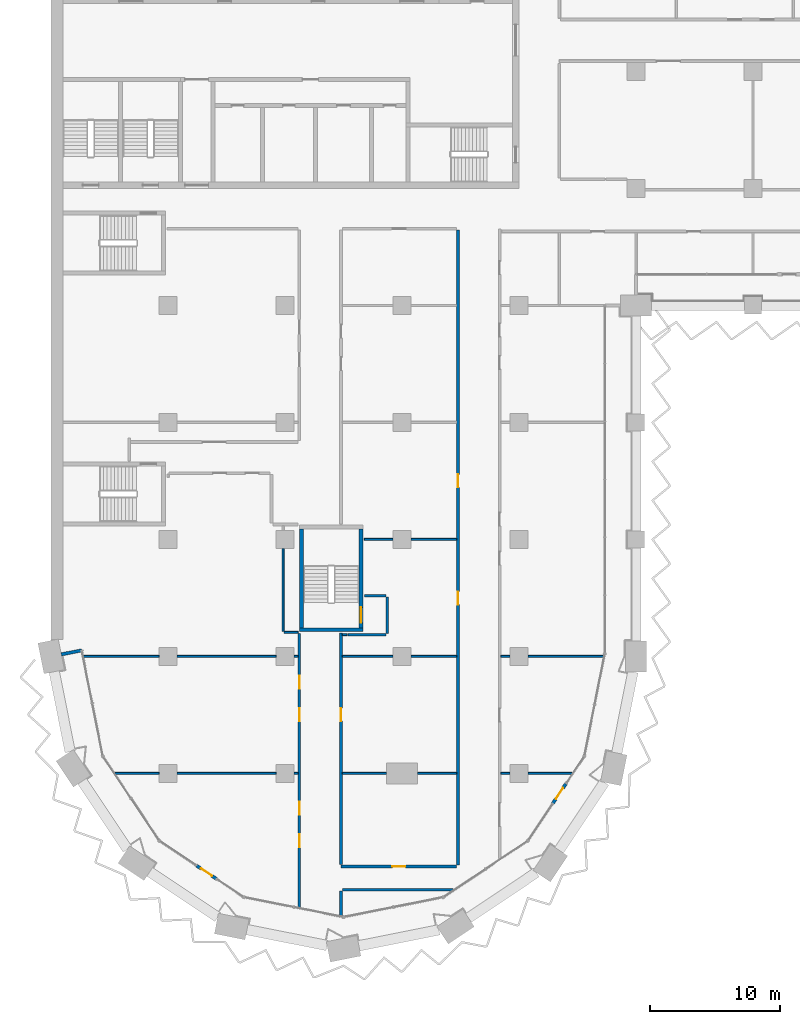
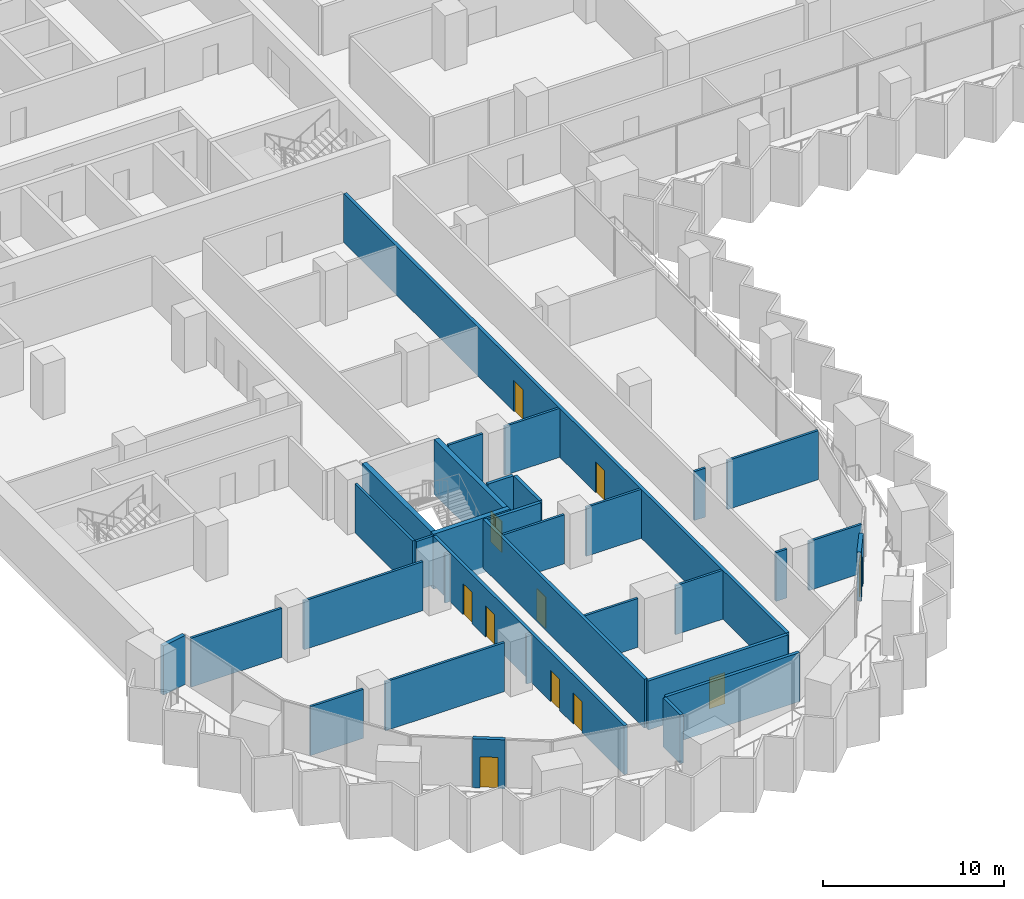
# One storey, part 10 of 29: 34 walls, 11 doors, 11 openings.
"""IFC4 building model written with IfcOpenShell, lengths in metres."""

from ifc_helpers import new_model, si_unit, direction, frame, frame_2d, origin, place, context, subcontext, project, spatial, rectangle, extrude, material, layer, layer_set, type_object, element, fill, save


model = new_model("IFC4")

# Units and contexts
model_context = context("Model", 3, precision=1e-05, world=origin(), true_north=direction((0.0, 1.0)))
body_context = subcontext(model_context, "Body", "Model", "MODEL_VIEW")
ifc_project = project(units=[si_unit("LENGTHUNIT", "METRE"), si_unit("AREAUNIT", "SQUARE_METRE"), si_unit("VOLUMEUNIT", "CUBIC_METRE"), si_unit("PLANEANGLEUNIT", "RADIAN"), si_unit("MASSUNIT", "GRAM", prefix="KILO")], contexts=[model_context])

# Site, building, storey
site_placement = place(None, origin())
site = spatial("IfcSite", under=ifc_project, at=site_placement, CompositionType="ELEMENT")
building_placement = place(site_placement, origin())
building = spatial("IfcBuilding", under=site, at=building_placement, Name="Hunhe Ridgeline Campus", CompositionType="ELEMENT")
storey_placement = place(building_placement, frame((0.0, 0.0, 54.300048828125)))
storey = spatial("IfcBuildingStorey", under=building, at=storey_placement, Name="L12", CompositionType="ELEMENT", Elevation=54.300048828125)

# Walls
ifc_material_1 = material(Name="Concrete C30", Category="concrete")
ifc_layer_1 = layer(ifc_material_1, 0.25)
ifc_layer_set_1 = layer_set([ifc_layer_1], Name="Corner return wall 250 Concrete C30")
wall_type_1 = type_object("IfcWallType", Name="Corner return wall 250 Concrete C30", PredefinedType="SOLIDWALL", material=ifc_layer_set_1)
wall_1_placement = place(storey_placement, frame((0.784423828125, 27.15673828125, 0.0), z_axis=(0.0, 0.0, 1.0), x_axis=(0.980826234823, 0.19488431718, 0.0)))
element("IfcWall", 1, at=wall_1_placement, inside=storey, type_object=wall_type_1, Name="Corner return wall 1", PredefinedType="SOLIDWALL", context=body_context, shape_type="SweptSolid", body=[
    extrude(rectangle(XDim=1.60107421875, YDim=0.25, at=frame_2d((0.800537109375, 0.0))), origin(), (0.0, 0.0, 1.0), 3.300048828125),
])
ifc_material_2 = material(Name="Gypsum board partition")
ifc_layer_2 = layer(ifc_material_2, 0.199951171875)
ifc_layer_set_2 = layer_set([ifc_layer_2], Name="Corridor partition 200 gypsum board on steel studs")
wall_type_2 = type_object("IfcWallType", Name="Corridor partition 200 gypsum board on steel studs", PredefinedType="PARTITIONING", material=ifc_layer_set_2)
wall_2_placement = place(storey_placement, frame((30.921142578125, 9.0390625, 0.0), z_axis=(0.0, 0.0, 1.0), x_axis=(-1.0, 0.0, 0.0)))
element("IfcWall", 2, at=wall_2_placement, inside=storey, type_object=wall_type_2, Name="F-L12-wall-001", PredefinedType="PARTITIONING", context=body_context, shape_type="SweptSolid", body=[
    extrude(rectangle(XDim=8.521240234375, YDim=0.199951171875, at=frame_2d((4.2607421875, 0.0))), origin(), (0.0, 0.0, 1.0), 3.300048828125),
])

# Wall, opening, door
wall_3_placement = place(storey_placement, frame((22.300048828125, 10.839111328125, 0.0), z_axis=(0.0, 0.0, 1.0), x_axis=(1.0, 0.0, 0.0)))
wall_3 = element("IfcWall", 3, at=wall_3_placement, inside=storey, type_object=wall_type_2, Name="F-L12-wall-002", PredefinedType="PARTITIONING", context=body_context, shape_type="SweptSolid", body=[
    extrude(rectangle(XDim=8.89990234375, YDim=0.199951171875, at=frame_2d((4.449951171875, 0.0))), origin(), (0.0, 0.0, 1.0), 3.300048828125),
])
opening_1_placement = place(wall_3_placement, frame((3.949951171875, 0.0, 0.0)))
opening_1 = element("IfcOpeningElement", 4, at=opening_1_placement, cuts=wall_3, Name="Opening RD1-001", PredefinedType="OPENING", context=body_context, shape_type="SweptSolid", body=[
    extrude(rectangle(XDim=1.0, YDim=2.10009765625, at=frame_2d((0.5, 1.050048828125))), frame((0.0, 0.10009765625, 0.0), z_axis=(0.0, -1.0, 0.0), x_axis=(1.0, 0.0, 0.0)), (0.0, 0.0, 1.0), 0.199951171875),
])
ifc_material_3 = material(Name="Timber door leaf", Category="wood")
door_type_1 = type_object("IfcDoorType", Name="Single fire door 1000x2100 timber FD60", OperationType="NOTDEFINED", PredefinedType="DOOR", material=ifc_material_3)
door_1_placement = place(opening_1_placement, origin())
door_1 = element("IfcDoor", 5, at=door_1_placement, inside=storey, type_object=door_type_1, Name="F-L12-door-001", OperationType="SINGLE_SWING_RIGHT", OverallHeight=2.10009765625, OverallWidth=1.0, PredefinedType="DOOR", context=body_context, shape_type="SweptSolid", body=[
    extrude(rectangle(XDim=1.0, YDim=2.10009765625, at=frame_2d((0.5, 1.050048828125))), frame((0.0, 0.02490234375, 0.0), z_axis=(0.0, -1.0, 0.0), x_axis=(1.0, 0.0, 0.0)), (0.0, 0.0, 1.0), 0.050048828125),
])
fill(opening_1, door_1)

# Walls
wall_4_placement = place(storey_placement, frame((25.75, 28.675048828125, 0.0), z_axis=(0.0, 0.0, 1.0), x_axis=(-1.0, 0.0, 0.0)))
element("IfcWall", 6, at=wall_4_placement, inside=storey, type_object=wall_type_2, Name="F-L12-wall-017", PredefinedType="PARTITIONING", context=body_context, shape_type="SweptSolid", body=[
    extrude(rectangle(XDim=2.89990234375, YDim=0.199951171875, at=frame_2d((1.449951171875, 0.0))), origin(), (0.0, 0.0, 1.0), 3.300048828125),
])
wall_5_placement = place(storey_placement, frame((24.10400390625, 31.675048828125, 0.0), z_axis=(0.0, 0.0, 1.0), x_axis=(1.0, 0.0, 0.0)))
element("IfcWall", 7, at=wall_5_placement, inside=storey, type_object=wall_type_2, Name="F-L12-wall-020", PredefinedType="PARTITIONING", context=body_context, shape_type="SweptSolid", body=[
    extrude(rectangle(XDim=1.64599609375, YDim=0.199951171875, at=frame_2d((0.822998046875, 0.0))), origin(), (0.0, 0.0, 1.0), 3.300048828125),
])

# Wall, openings, doors
wall_6_placement = place(storey_placement, frame((19.10009765625, 7.679443359375, 0.0), z_axis=(0.0, 0.0, 1.0), x_axis=(0.0, 1.0, 0.0)))
wall_6 = element("IfcWall", 8, at=wall_6_placement, inside=storey, type_object=wall_type_2, Name="F-L12-wall-060", PredefinedType="PARTITIONING", context=body_context, shape_type="SweptSolid", body=[
    extrude(rectangle(XDim=21.095458984375, YDim=0.199951171875, at=frame_2d((10.5478515625, 0.0))), origin(), (0.0, 0.0, 1.0), 3.300048828125),
])
opening_2_placement = place(wall_6_placement, frame((4.648193359375, 0.0, 0.0)))
opening_2 = element("IfcOpeningElement", 9, at=opening_2_placement, cuts=wall_6, Name="Opening RD1-002", PredefinedType="OPENING", context=body_context, shape_type="SweptSolid", body=[
    extrude(rectangle(XDim=1.0, YDim=2.10009765625, at=frame_2d((0.5, 1.050048828125))), frame((0.0, 0.10009765625, 0.0), z_axis=(0.0, -1.0, 0.0), x_axis=(1.0, 0.0, 0.0)), (0.0, 0.0, 1.0), 0.199951171875),
])
opening_3_placement = place(wall_6_placement, frame((7.148193359375, 0.0, 0.0)))
opening_3 = element("IfcOpeningElement", 10, at=opening_3_placement, cuts=wall_6, Name="Opening RD1-004", PredefinedType="OPENING", context=body_context, shape_type="SweptSolid", body=[
    extrude(rectangle(XDim=1.0, YDim=2.10009765625, at=frame_2d((0.5, 1.050048828125))), frame((0.0, 0.10009765625, 0.0), z_axis=(0.0, -1.0, 0.0), x_axis=(1.0, 0.0, 0.0)), (0.0, 0.0, 1.0), 0.199951171875),
])
opening_4_placement = place(wall_6_placement, frame((14.317138671875, 0.0, 0.0)))
opening_4 = element("IfcOpeningElement", 11, at=opening_4_placement, cuts=wall_6, Name="Opening RD1-005", PredefinedType="OPENING", context=body_context, shape_type="SweptSolid", body=[
    extrude(rectangle(XDim=1.0, YDim=2.10009765625, at=frame_2d((0.5, 1.050048828125))), frame((0.0, 0.10009765625, 0.0), z_axis=(0.0, -1.0, 0.0), x_axis=(1.0, 0.0, 0.0)), (0.0, 0.0, 1.0), 0.199951171875),
])
opening_5_placement = place(wall_6_placement, frame((16.817138671875, 0.0, 0.0)))
opening_5 = element("IfcOpeningElement", 12, at=opening_5_placement, cuts=wall_6, Name="Opening RD1-008", PredefinedType="OPENING", context=body_context, shape_type="SweptSolid", body=[
    extrude(rectangle(XDim=1.0, YDim=2.10009765625, at=frame_2d((0.5, 1.050048828125))), frame((0.0, 0.10009765625, 0.0), z_axis=(0.0, -1.0, 0.0), x_axis=(1.0, 0.0, 0.0)), (0.0, 0.0, 1.0), 0.199951171875),
])
door_2_placement = place(opening_2_placement, frame((1.0, 0.0, 0.0), z_axis=(0.0, 0.0, 1.0), x_axis=(-1.0, 0.0, 0.0)))
door_2 = element("IfcDoor", 13, at=door_2_placement, inside=storey, type_object=door_type_1, Name="F-L12-door-002", OperationType="SINGLE_SWING_LEFT", OverallHeight=2.10009765625, OverallWidth=1.0, PredefinedType="DOOR", context=body_context, shape_type="SweptSolid", body=[
    extrude(rectangle(XDim=1.0, YDim=2.10009765625, at=frame_2d((0.5, 1.050048828125))), frame((0.0, 0.02490234375, 0.0), z_axis=(0.0, -1.0, 0.0), x_axis=(1.0, 0.0, 0.0)), (0.0, 0.0, 1.0), 0.050048828125),
])
fill(opening_2, door_2)
door_3_placement = place(opening_3_placement, frame((1.0, 0.0, 0.0), z_axis=(0.0, 0.0, 1.0), x_axis=(-1.0, 0.0, 0.0)))
door_3 = element("IfcDoor", 14, at=door_3_placement, inside=storey, type_object=door_type_1, Name="F-L12-door-004", OperationType="SINGLE_SWING_LEFT", OverallHeight=2.10009765625, OverallWidth=1.0, PredefinedType="DOOR", context=body_context, shape_type="SweptSolid", body=[
    extrude(rectangle(XDim=1.0, YDim=2.10009765625, at=frame_2d((0.5, 1.050048828125))), frame((0.0, 0.02490234375, 0.0), z_axis=(0.0, -1.0, 0.0), x_axis=(1.0, 0.0, 0.0)), (0.0, 0.0, 1.0), 0.050048828125),
])
fill(opening_3, door_3)
door_4_placement = place(opening_4_placement, frame((1.0, 0.0, 0.0), z_axis=(0.0, 0.0, 1.0), x_axis=(-1.0, 0.0, 0.0)))
door_4 = element("IfcDoor", 15, at=door_4_placement, inside=storey, type_object=door_type_1, Name="F-L12-door-005", OperationType="SINGLE_SWING_LEFT", OverallHeight=2.10009765625, OverallWidth=1.0, PredefinedType="DOOR", context=body_context, shape_type="SweptSolid", body=[
    extrude(rectangle(XDim=1.0, YDim=2.10009765625, at=frame_2d((0.5, 1.050048828125))), frame((0.0, 0.02490234375, 0.0), z_axis=(0.0, -1.0, 0.0), x_axis=(1.0, 0.0, 0.0)), (0.0, 0.0, 1.0), 0.050048828125),
])
fill(opening_4, door_4)
door_5_placement = place(opening_5_placement, frame((1.0, 0.0, 0.0), z_axis=(0.0, 0.0, 1.0), x_axis=(-1.0, 0.0, 0.0)))
door_5 = element("IfcDoor", 16, at=door_5_placement, inside=storey, type_object=door_type_1, Name="F-L12-door-008", OperationType="SINGLE_SWING_LEFT", OverallHeight=2.10009765625, OverallWidth=1.0, PredefinedType="DOOR", context=body_context, shape_type="SweptSolid", body=[
    extrude(rectangle(XDim=1.0, YDim=2.10009765625, at=frame_2d((0.5, 1.050048828125))), frame((0.0, 0.02490234375, 0.0), z_axis=(0.0, -1.0, 0.0), x_axis=(1.0, 0.0, 0.0)), (0.0, 0.0, 1.0), 0.050048828125),
])
fill(opening_5, door_5)

# Wall
wall_7_placement = place(storey_placement, frame((22.300048828125, 8.93896484375, 0.0), z_axis=(0.0, 0.0, 1.0), x_axis=(0.0, -1.0, 0.0)))
element("IfcWall", 17, at=wall_7_placement, inside=storey, type_object=wall_type_2, Name="F-L12-wall-062", PredefinedType="PARTITIONING", context=body_context, shape_type="SweptSolid", body=[
    extrude(rectangle(XDim=1.89599609375, YDim=0.199951171875, at=frame_2d((0.947998046875, 0.0))), origin(), (0.0, 0.0, 1.0), 3.300048828125),
])

# Wall, opening, door
wall_8_placement = place(storey_placement, frame((22.300048828125, 28.7958984375, 0.0), z_axis=(0.0, 0.0, 1.0), x_axis=(0.0, -1.0, 0.0)))
wall_8 = element("IfcWall", 18, at=wall_8_placement, inside=storey, type_object=wall_type_2, Name="F-L12-wall-063", PredefinedType="PARTITIONING", context=body_context, shape_type="SweptSolid", body=[
    extrude(rectangle(XDim=17.7978515625, YDim=0.199951171875, at=frame_2d((8.89892578125, 0.0))), origin(), (0.0, 0.0, 1.0), 3.300048828125),
])
opening_6_placement = place(wall_8_placement, frame((5.766845703125, 0.0, 0.0)))
opening_6 = element("IfcOpeningElement", 19, at=opening_6_placement, cuts=wall_8, Name="Opening RD1-006", PredefinedType="OPENING", context=body_context, shape_type="SweptSolid", body=[
    extrude(rectangle(XDim=1.0, YDim=2.10009765625, at=frame_2d((0.5, 1.050048828125))), frame((0.0, 0.10009765625, 0.0), z_axis=(0.0, -1.0, 0.0), x_axis=(1.0, 0.0, 0.0)), (0.0, 0.0, 1.0), 0.199951171875),
])
door_6_placement = place(opening_6_placement, origin())
door_6 = element("IfcDoor", 20, at=door_6_placement, inside=storey, type_object=door_type_1, Name="F-L12-door-006", OperationType="SINGLE_SWING_LEFT", OverallHeight=2.10009765625, OverallWidth=1.0, PredefinedType="DOOR", context=body_context, shape_type="SweptSolid", body=[
    extrude(rectangle(XDim=1.0, YDim=2.10009765625, at=frame_2d((0.5, 1.050048828125))), frame((0.0, 0.02490234375, 0.0), z_axis=(0.0, -1.0, 0.0), x_axis=(1.0, 0.0, 0.0)), (0.0, 0.0, 1.0), 0.050048828125),
])
fill(opening_6, door_6)

# Wall
wall_9_placement = place(storey_placement, frame((25.85009765625, 31.574951171875, 0.0), z_axis=(0.0, 0.0, 1.0), x_axis=(0.0, -1.0, 0.0)))
element("IfcWall", 21, at=wall_9_placement, inside=storey, type_object=wall_type_2, Name="F-L12-wall-065", PredefinedType="PARTITIONING", context=body_context, shape_type="SweptSolid", body=[
    extrude(rectangle(XDim=2.800048828125, YDim=0.199951171875, at=frame_2d((1.39990234375, 0.0))), origin(), (0.0, 0.0, 1.0), 3.300048828125),
])

# Wall, openings, doors
wall_10_placement = place(storey_placement, frame((31.300048828125, 10.93896484375, 0.0), z_axis=(0.0, 0.0, 1.0), x_axis=(0.0, 1.0, 0.0)))
wall_10 = element("IfcWall", 22, at=wall_10_placement, inside=storey, type_object=wall_type_2, Name="F-L12-wall-066", PredefinedType="PARTITIONING", context=body_context, shape_type="SweptSolid", body=[
    extrude(rectangle(XDim=48.861083984375, YDim=0.199951171875, at=frame_2d((24.4306640625, 0.0))), origin(), (0.0, 0.0, 1.0), 3.300048828125),
])
opening_7_placement = place(wall_10_placement, frame((20.046630859375, 0.0, 0.0)))
opening_7 = element("IfcOpeningElement", 23, at=opening_7_placement, cuts=wall_10, Name="Opening RD1-009", PredefinedType="OPENING", context=body_context, shape_type="SweptSolid", body=[
    extrude(rectangle(XDim=1.0, YDim=2.10009765625, at=frame_2d((0.5, 1.050048828125))), frame((0.0, 0.10009765625, 0.0), z_axis=(0.0, -1.0, 0.0), x_axis=(1.0, 0.0, 0.0)), (0.0, 0.0, 1.0), 0.199951171875),
])
opening_8_placement = place(wall_10_placement, frame((29.067138671875, 0.0, 0.0)))
opening_8 = element("IfcOpeningElement", 24, at=opening_8_placement, cuts=wall_10, Name="Opening RD1-012", PredefinedType="OPENING", context=body_context, shape_type="SweptSolid", body=[
    extrude(rectangle(XDim=1.0, YDim=2.10009765625, at=frame_2d((0.5, 1.050048828125))), frame((0.0, 0.10009765625, 0.0), z_axis=(0.0, -1.0, 0.0), x_axis=(1.0, 0.0, 0.0)), (0.0, 0.0, 1.0), 0.199951171875),
])
door_7_placement = place(opening_7_placement, origin())
door_7 = element("IfcDoor", 25, at=door_7_placement, inside=storey, type_object=door_type_1, Name="F-L12-door-009", OperationType="SINGLE_SWING_RIGHT", OverallHeight=2.10009765625, OverallWidth=1.0, PredefinedType="DOOR", context=body_context, shape_type="SweptSolid", body=[
    extrude(rectangle(XDim=1.0, YDim=2.10009765625, at=frame_2d((0.5, 1.050048828125))), frame((0.0, 0.02490234375, 0.0), z_axis=(0.0, -1.0, 0.0), x_axis=(1.0, 0.0, 0.0)), (0.0, 0.0, 1.0), 0.050048828125),
])
fill(opening_7, door_7)
door_8_placement = place(opening_8_placement, origin())
door_8 = element("IfcDoor", 26, at=door_8_placement, inside=storey, type_object=door_type_1, Name="F-L12-door-012", OperationType="SINGLE_SWING_RIGHT", OverallHeight=2.10009765625, OverallWidth=1.0, PredefinedType="DOOR", context=body_context, shape_type="SweptSolid", body=[
    extrude(rectangle(XDim=1.0, YDim=2.10009765625, at=frame_2d((0.5, 1.050048828125))), frame((0.0, 0.02490234375, 0.0), z_axis=(0.0, -1.0, 0.0), x_axis=(1.0, 0.0, 0.0)), (0.0, 0.0, 1.0), 0.050048828125),
])
fill(opening_8, door_8)

# Wall, opening, door
ifc_layer_3 = layer(ifc_material_1, 0.25)
ifc_layer_set_3 = layer_set([ifc_layer_3], Name="Loggia door pier wall 250 Concrete C30")
wall_type_3 = type_object("IfcWallType", Name="Loggia door pier wall 250 Concrete C30", PredefinedType="SOLIDWALL", material=ifc_layer_set_3)
wall_11_placement = place(storey_placement, frame((11.19970703125, 10.897705078125, 0.0), z_axis=(0.0, 0.0, 1.0), x_axis=(0.83146554274, -0.555576323502, 0.0)))
wall_11 = element("IfcWall", 27, at=wall_11_placement, inside=storey, type_object=wall_type_3, Name="Loggia door pier 1", PredefinedType="SOLIDWALL", context=body_context, shape_type="SweptSolid", body=[
    extrude(rectangle(XDim=1.800048828125, YDim=0.25, at=frame_2d((0.89990234375, 0.0))), origin(), (0.0, 0.0, 1.0), 3.300048828125),
])
opening_9_placement = place(wall_11_placement, frame((0.39990234375, 0.0, 0.0)))
opening_9 = element("IfcOpeningElement", 28, at=opening_9_placement, cuts=wall_11, Name="Opening BD102", PredefinedType="OPENING", context=body_context, shape_type="SweptSolid", body=[
    extrude(rectangle(XDim=1.0, YDim=2.10009765625, at=frame_2d((0.5, 1.050048828125))), frame((0.0, 0.125, 0.0), z_axis=(0.0, -1.0, 0.0), x_axis=(1.0, 0.0, 0.0)), (0.0, 0.0, 1.0), 0.25),
])
ifc_material_4 = material(Name="Aluminium 6063", Category="aluminium")
door_type_2 = type_object("IfcDoorType", Name="Loggia glazed door 1000x2100", OperationType="NOTDEFINED", PredefinedType="DOOR", material=ifc_material_4)
door_9_placement = place(opening_9_placement, frame((1.0, 0.0, 0.0), z_axis=(0.0, 0.0, 1.0), x_axis=(-1.0, 0.0, 0.0)))
door_9 = element("IfcDoor", 29, at=door_9_placement, inside=storey, type_object=door_type_2, Name="Loggia door BD102", OperationType="SINGLE_SWING_LEFT", OverallHeight=2.10009765625, OverallWidth=1.0, PredefinedType="DOOR", context=body_context, shape_type="SweptSolid", body=[
    extrude(rectangle(XDim=1.0, YDim=2.10009765625, at=frame_2d((0.5, 1.050048828125))), frame((0.0, 0.02490234375, 0.0), z_axis=(0.0, -1.0, 0.0), x_axis=(1.0, 0.0, 0.0)), (0.0, 0.0, 1.0), 0.050048828125),
])
fill(opening_9, door_9)

wall_12_placement = place(storey_placement, frame((38.602294921875, 15.69970703125, 0.0), z_axis=(0.0, 0.0, 1.0), x_axis=(0.555576323502, 0.83146554274, 0.0)))
wall_12 = element("IfcWall", 30, at=wall_12_placement, inside=storey, type_object=wall_type_3, Name="Loggia door pier 2", PredefinedType="SOLIDWALL", context=body_context, shape_type="SweptSolid", body=[
    extrude(rectangle(XDim=1.800048828125, YDim=0.25, at=frame_2d((0.89990234375, 0.0))), origin(), (0.0, 0.0, 1.0), 3.300048828125),
])
opening_10_placement = place(wall_12_placement, frame((0.39990234375, 0.0, 0.0)))
opening_10 = element("IfcOpeningElement", 31, at=opening_10_placement, cuts=wall_12, Name="Opening BD104", PredefinedType="OPENING", context=body_context, shape_type="SweptSolid", body=[
    extrude(rectangle(XDim=1.0, YDim=2.10009765625, at=frame_2d((0.5, 1.050048828125))), frame((0.0, 0.125, 0.0), z_axis=(0.0, -1.0, 0.0), x_axis=(1.0, 0.0, 0.0)), (0.0, 0.0, 1.0), 0.25),
])
door_10_placement = place(opening_10_placement, frame((1.0, 0.0, 0.0), z_axis=(0.0, 0.0, 1.0), x_axis=(-1.0, 0.0, 0.0)))
door_10 = element("IfcDoor", 32, at=door_10_placement, inside=storey, type_object=door_type_2, Name="Loggia door BD104", OperationType="SINGLE_SWING_LEFT", OverallHeight=2.10009765625, OverallWidth=1.0, PredefinedType="DOOR", context=body_context, shape_type="SweptSolid", body=[
    extrude(rectangle(XDim=1.0, YDim=2.10009765625, at=frame_2d((0.5, 1.050048828125))), frame((0.0, 0.02490234375, 0.0), z_axis=(0.0, -1.0, 0.0), x_axis=(1.0, 0.0, 0.0)), (0.0, 0.0, 1.0), 0.050048828125),
])
fill(opening_10, door_10)

# Walls
ifc_layer_4 = layer(ifc_material_2, 0.14990234375)
ifc_layer_set_4 = layer_set([ifc_layer_4], Name="Room partition 150 gypsum board on steel studs")
wall_type_4 = type_object("IfcWallType", Name="Room partition 150 gypsum board on steel studs", PredefinedType="PARTITIONING", material=ifc_layer_set_4)
wall_13_placement = place(storey_placement, frame((4.925537109375, 18.0, 0.0), z_axis=(0.0, 0.0, 1.0), x_axis=(1.0, 0.0, 0.0)))
element("IfcWall", 33, at=wall_13_placement, inside=storey, type_object=wall_type_4, Name="F-L12-wall-003", PredefinedType="PARTITIONING", context=body_context, shape_type="SweptSolid", body=[
    extrude(rectangle(XDim=3.37451171875, YDim=0.14990234375, at=frame_2d((1.687255859375, 0.0))), origin(), (0.0, 0.0, 1.0), 3.300048828125),
])
wall_14_placement = place(storey_placement, frame((9.699951171875, 18.0, 0.0), z_axis=(0.0, 0.0, 1.0), x_axis=(1.0, 0.0, 0.0)))
element("IfcWall", 34, at=wall_14_placement, inside=storey, type_object=wall_type_4, Name="F-L12-wall-004", PredefinedType="PARTITIONING", context=body_context, shape_type="SweptSolid", body=[
    extrude(rectangle(XDim=7.60009765625, YDim=0.14990234375, at=frame_2d((3.800048828125, 0.0))), origin(), (0.0, 0.0, 1.0), 3.300048828125),
])
wall_15_placement = place(storey_placement, frame((18.699951171875, 18.0, 0.0), z_axis=(0.0, 0.0, 1.0), x_axis=(1.0, 0.0, 0.0)))
element("IfcWall", 35, at=wall_15_placement, inside=storey, type_object=wall_type_4, Name="F-L12-wall-005", PredefinedType="PARTITIONING", context=body_context, shape_type="SweptSolid", body=[
    extrude(rectangle(XDim=0.300048828125, YDim=0.14990234375, at=frame_2d((0.14990234375, 0.0))), origin(), (0.0, 0.0, 1.0), 3.300048828125),
])
wall_16_placement = place(storey_placement, frame((22.39990234375, 18.0, 0.0), z_axis=(0.0, 0.0, 1.0), x_axis=(1.0, 0.0, 0.0)))
element("IfcWall", 36, at=wall_16_placement, inside=storey, type_object=wall_type_4, Name="F-L12-wall-006", PredefinedType="PARTITIONING", context=body_context, shape_type="SweptSolid", body=[
    extrude(rectangle(XDim=3.400146484375, YDim=0.14990234375, at=frame_2d((1.7001953125, 0.0))), origin(), (0.0, 0.0, 1.0), 3.300048828125),
])
wall_17_placement = place(storey_placement, frame((28.199951171875, 18.0, 0.0), z_axis=(0.0, 0.0, 1.0), x_axis=(1.0, 0.0, 0.0)))
element("IfcWall", 37, at=wall_17_placement, inside=storey, type_object=wall_type_4, Name="F-L12-wall-007", PredefinedType="PARTITIONING", context=body_context, shape_type="SweptSolid", body=[
    extrude(rectangle(XDim=3.0, YDim=0.14990234375, at=frame_2d((1.5, 0.0))), origin(), (0.0, 0.0, 1.0), 3.300048828125),
])
wall_18_placement = place(storey_placement, frame((34.60009765625, 18.0, 0.0), z_axis=(0.0, 0.0, 1.0), x_axis=(1.0, 0.0, 0.0)))
element("IfcWall", 38, at=wall_18_placement, inside=storey, type_object=wall_type_4, Name="F-L12-wall-008", PredefinedType="PARTITIONING", context=body_context, shape_type="SweptSolid", body=[
    extrude(rectangle(XDim=0.699951171875, YDim=0.14990234375, at=frame_2d((0.35009765625, 0.0))), origin(), (0.0, 0.0, 1.0), 3.300048828125),
])
wall_19_placement = place(storey_placement, frame((36.699951171875, 18.0, 0.0), z_axis=(0.0, 0.0, 1.0), x_axis=(1.0, 0.0, 0.0)))
element("IfcWall", 39, at=wall_19_placement, inside=storey, type_object=wall_type_4, Name="F-L12-wall-009", PredefinedType="PARTITIONING", context=body_context, shape_type="SweptSolid", body=[
    extrude(rectangle(XDim=3.37451171875, YDim=0.14990234375, at=frame_2d((1.687255859375, 0.0))), origin(), (0.0, 0.0, 1.0), 3.300048828125),
])
wall_20_placement = place(storey_placement, frame((2.503173828125, 27.0, 0.0), z_axis=(0.0, 0.0, 1.0), x_axis=(1.0, 0.0, 0.0)))
element("IfcWall", 40, at=wall_20_placement, inside=storey, type_object=wall_type_4, Name="F-L12-wall-010", PredefinedType="PARTITIONING", context=body_context, shape_type="SweptSolid", body=[
    extrude(rectangle(XDim=5.796875, YDim=0.14990234375, at=frame_2d((2.8984375, 0.0))), origin(), (0.0, 0.0, 1.0), 3.300048828125),
])
wall_21_placement = place(storey_placement, frame((9.699951171875, 27.0, 0.0), z_axis=(0.0, 0.0, 1.0), x_axis=(1.0, 0.0, 0.0)))
element("IfcWall", 41, at=wall_21_placement, inside=storey, type_object=wall_type_4, Name="F-L12-wall-011", PredefinedType="PARTITIONING", context=body_context, shape_type="SweptSolid", body=[
    extrude(rectangle(XDim=7.60009765625, YDim=0.14990234375, at=frame_2d((3.800048828125, 0.0))), origin(), (0.0, 0.0, 1.0), 3.300048828125),
])
wall_22_placement = place(storey_placement, frame((18.699951171875, 27.0, 0.0), z_axis=(0.0, 0.0, 1.0), x_axis=(1.0, 0.0, 0.0)))
element("IfcWall", 42, at=wall_22_placement, inside=storey, type_object=wall_type_4, Name="F-L12-wall-012", PredefinedType="PARTITIONING", context=body_context, shape_type="SweptSolid", body=[
    extrude(rectangle(XDim=0.300048828125, YDim=0.14990234375, at=frame_2d((0.14990234375, 0.0))), origin(), (0.0, 0.0, 1.0), 3.300048828125),
])
wall_23_placement = place(storey_placement, frame((22.39990234375, 27.0, 0.0), z_axis=(0.0, 0.0, 1.0), x_axis=(1.0, 0.0, 0.0)))
element("IfcWall", 43, at=wall_23_placement, inside=storey, type_object=wall_type_4, Name="F-L12-wall-013", PredefinedType="PARTITIONING", context=body_context, shape_type="SweptSolid", body=[
    extrude(rectangle(XDim=3.900146484375, YDim=0.14990234375, at=frame_2d((1.9501953125, 0.0))), origin(), (0.0, 0.0, 1.0), 3.300048828125),
])
wall_24_placement = place(storey_placement, frame((27.699951171875, 27.0, 0.0), z_axis=(0.0, 0.0, 1.0), x_axis=(1.0, 0.0, 0.0)))
element("IfcWall", 44, at=wall_24_placement, inside=storey, type_object=wall_type_4, Name="F-L12-wall-014", PredefinedType="PARTITIONING", context=body_context, shape_type="SweptSolid", body=[
    extrude(rectangle(XDim=3.5, YDim=0.14990234375, at=frame_2d((1.75, 0.0))), origin(), (0.0, 0.0, 1.0), 3.300048828125),
])
wall_25_placement = place(storey_placement, frame((34.60009765625, 27.0, 0.0), z_axis=(0.0, 0.0, 1.0), x_axis=(1.0, 0.0, 0.0)))
element("IfcWall", 45, at=wall_25_placement, inside=storey, type_object=wall_type_4, Name="F-L12-wall-015", PredefinedType="PARTITIONING", context=body_context, shape_type="SweptSolid", body=[
    extrude(rectangle(XDim=0.699951171875, YDim=0.14990234375, at=frame_2d((0.35009765625, 0.0))), origin(), (0.0, 0.0, 1.0), 3.300048828125),
])
wall_26_placement = place(storey_placement, frame((36.699951171875, 27.0, 0.0), z_axis=(0.0, 0.0, 1.0), x_axis=(1.0, 0.0, 0.0)))
element("IfcWall", 46, at=wall_26_placement, inside=storey, type_object=wall_type_4, Name="F-L12-wall-016", PredefinedType="PARTITIONING", context=body_context, shape_type="SweptSolid", body=[
    extrude(rectangle(XDim=5.796875, YDim=0.14990234375, at=frame_2d((2.8984375, 0.0))), origin(), (0.0, 0.0, 1.0), 3.300048828125),
])
wall_27_placement = place(storey_placement, frame((22.39990234375, 28.675048828125, 0.0), z_axis=(0.0, 0.0, 1.0), x_axis=(1.0, 0.0, 0.0)))
element("IfcWall", 47, at=wall_27_placement, inside=storey, type_object=wall_type_4, Name="F-L12-wall-018", PredefinedType="PARTITIONING", context=body_context, shape_type="SweptSolid", body=[
    extrude(rectangle(XDim=0.379638671875, YDim=0.14990234375, at=frame_2d((0.18994140625, 0.0))), origin(), (0.0, 0.0, 1.0), 3.300048828125),
])
wall_28_placement = place(storey_placement, frame((17.925048828125, 28.85009765625, 0.0), z_axis=(0.0, 0.0, 1.0), x_axis=(1.0, 0.0, 0.0)))
element("IfcWall", 48, at=wall_28_placement, inside=storey, type_object=wall_type_4, Name="F-L12-wall-019", PredefinedType="PARTITIONING", context=body_context, shape_type="SweptSolid", body=[
    extrude(rectangle(XDim=1.071044921875, YDim=0.14990234375, at=frame_2d((0.53564453125, 0.0))), origin(), (0.0, 0.0, 1.0), 3.300048828125),
])
wall_29_placement = place(storey_placement, frame((24.10400390625, 36.0, 0.0), z_axis=(0.0, 0.0, 1.0), x_axis=(1.0, 0.0, 0.0)))
element("IfcWall", 49, at=wall_29_placement, inside=storey, type_object=wall_type_4, Name="F-L12-wall-021", PredefinedType="PARTITIONING", context=body_context, shape_type="SweptSolid", body=[
    extrude(rectangle(XDim=2.196044921875, YDim=0.14990234375, at=frame_2d((1.09814453125, 0.0))), origin(), (0.0, 0.0, 1.0), 3.300048828125),
])
wall_30_placement = place(storey_placement, frame((27.699951171875, 36.0, 0.0), z_axis=(0.0, 0.0, 1.0), x_axis=(1.0, 0.0, 0.0)))
element("IfcWall", 50, at=wall_30_placement, inside=storey, type_object=wall_type_4, Name="F-L12-wall-022", PredefinedType="PARTITIONING", context=body_context, shape_type="SweptSolid", body=[
    extrude(rectangle(XDim=3.5, YDim=0.14990234375, at=frame_2d((1.75, 0.0))), origin(), (0.0, 0.0, 1.0), 3.300048828125),
])
wall_31_placement = place(storey_placement, frame((17.85009765625, 35.300048828125, 0.0), z_axis=(0.0, 0.0, 1.0), x_axis=(0.0, -1.0, 0.0)))
element("IfcWall", 51, at=wall_31_placement, inside=storey, type_object=wall_type_4, Name="F-L12-wall-058", PredefinedType="PARTITIONING", context=body_context, shape_type="SweptSolid", body=[
    extrude(rectangle(XDim=6.375, YDim=0.14990234375, at=frame_2d((3.1875, 0.0))), origin(), (0.0, 0.0, 1.0), 3.300048828125),
])
ifc_material_5 = material(Name="Concrete C80", Category="concrete")
ifc_layer_5 = layer(ifc_material_5, 0.300048828125)
ifc_layer_set_5 = layer_set([ifc_layer_5], Name="Stair wall 300 reinforced concrete C80")
wall_type_5 = type_object("IfcWallType", Name="Stair wall 300 reinforced concrete C80", PredefinedType="SOLIDWALL", material=ifc_layer_set_5)
wall_32_placement = place(storey_placement, frame((19.10009765625, 29.050048828125, -0.400146484375), z_axis=(0.0, 0.0, 1.0), x_axis=(1.0, 0.0, 0.0)))
element("IfcWall", 52, at=wall_32_placement, inside=storey, type_object=wall_type_5, Name="L12 core wall 1", PredefinedType="SOLIDWALL", context=body_context, shape_type="SweptSolid", body=[
    extrude(rectangle(XDim=4.89990234375, YDim=0.300048828125, at=frame_2d((2.449951171875, 0.0))), origin(), (0.0, 0.0, 1.0), 3.7001953125),
])
wall_33_placement = place(storey_placement, frame((19.25, 29.199951171875, -0.400146484375), z_axis=(0.0, 0.0, 1.0), x_axis=(0.0, 1.0, 0.0)))
element("IfcWall", 53, at=wall_33_placement, inside=storey, type_object=wall_type_5, Name="L12 core wall 50", PredefinedType="SOLIDWALL", context=body_context, shape_type="SweptSolid", body=[
    extrude(rectangle(XDim=7.60009765625, YDim=0.300048828125, at=frame_2d((3.800048828125, 0.0))), origin(), (0.0, 0.0, 1.0), 3.7001953125),
])

# Wall, opening, door
wall_34_placement = place(storey_placement, frame((23.85009765625, 29.199951171875, -0.400146484375), z_axis=(0.0, 0.0, 1.0), x_axis=(0.0, 1.0, 0.0)))
wall_34 = element("IfcWall", 54, at=wall_34_placement, inside=storey, type_object=wall_type_5, Name="L12 core wall 55", PredefinedType="SOLIDWALL", context=body_context, shape_type="SweptSolid", body=[
    extrude(rectangle(XDim=7.60009765625, YDim=0.300048828125, at=frame_2d((3.800048828125, 0.0))), origin(), (0.0, 0.0, 1.0), 3.7001953125),
])
opening_11_placement = place(wall_34_placement, frame((0.375, 0.0, 0.39990234375)))
opening_11 = element("IfcOpeningElement", 55, at=opening_11_placement, cuts=wall_34, Name="Opening CD23", PredefinedType="OPENING", context=body_context, shape_type="SweptSolid", body=[
    extrude(rectangle(XDim=1.199951171875, YDim=2.10009765625, at=frame_2d((0.60009765625, 1.050048828125))), frame((0.0, 0.14990234375, 0.0), z_axis=(0.0, -1.0, 0.0), x_axis=(1.0, 0.0, 0.0)), (0.0, 0.0, 1.0), 0.300048828125),
])
ifc_material_6 = material(Name="Hollow metal fire door leaf")
door_type_3 = type_object("IfcDoorType", Name="Stair door 1200x2100 FD60", OperationType="SINGLE_SWING_LEFT", PredefinedType="DOOR", material=ifc_material_6)
door_11_placement = place(opening_11_placement, frame((1.199951171875, 0.0, 0.0), z_axis=(0.0, 0.0, 1.0), x_axis=(-1.0, 0.0, 0.0)))
door_11 = element("IfcDoor", 56, at=door_11_placement, inside=storey, type_object=door_type_3, Name="L12 door W3", OperationType="SINGLE_SWING_RIGHT", OverallHeight=2.10009765625, OverallWidth=1.199951171875, PredefinedType="DOOR", context=body_context, shape_type="SweptSolid", body=[
    extrude(rectangle(XDim=1.199951171875, YDim=2.10009765625, at=frame_2d((0.60009765625, 1.050048828125))), frame((0.0, 0.02490234375, 0.0), z_axis=(0.0, -1.0, 0.0), x_axis=(1.0, 0.0, 0.0)), (0.0, 0.0, 1.0), 0.050048828125),
])
fill(opening_11, door_11)

save(model, "model.ifc")
